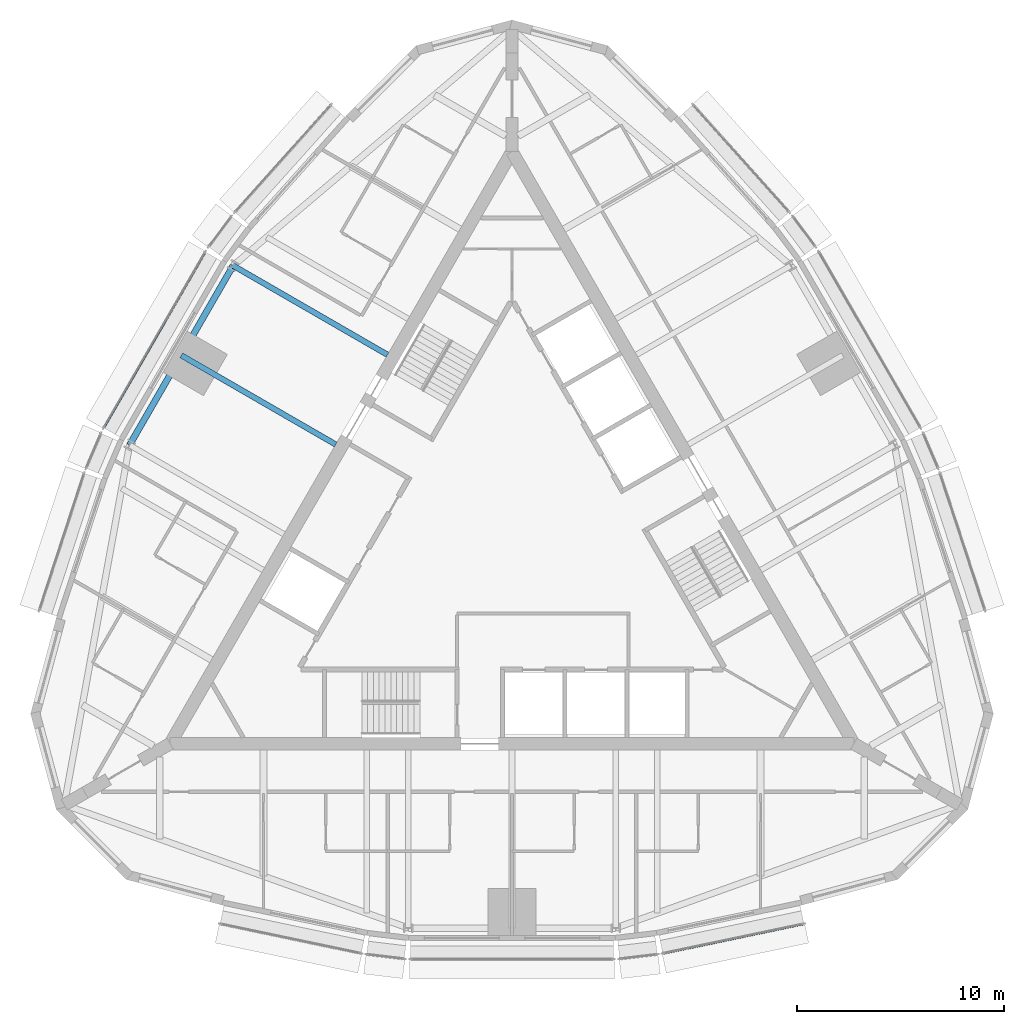
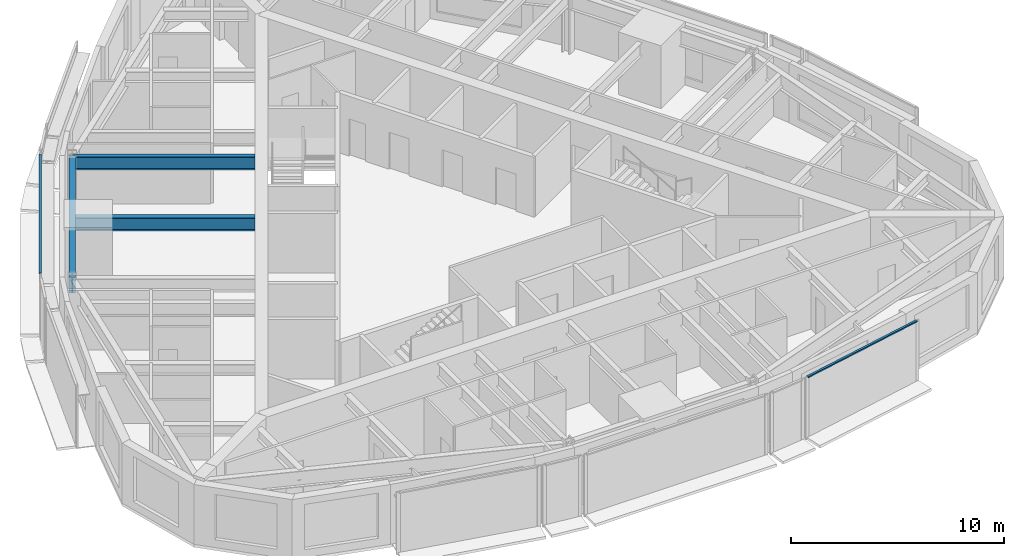
# One storey, part 3 of 12: 3 beams, 2 members, 2 elements without a shape of their own.
"""IFC4 building model written with IfcOpenShell, lengths in metres."""

from ifc_helpers import new_model, si_unit, direction, frame, origin, origin_2d, place, context, subcontext, project, spatial, rectangle, i_section, extrude, material, material_profile, profile_set, type_object, element, aggregate, save


model = new_model("IFC4")

# Units and contexts
model_context = context("Model", 3, precision=1e-05, world=origin(), true_north=direction((0.0, 1.0)))
body_context = subcontext(model_context, "Body", "Model", "MODEL_VIEW")
ifc_project = project(units=[si_unit("LENGTHUNIT", "METRE"), si_unit("AREAUNIT", "SQUARE_METRE"), si_unit("VOLUMEUNIT", "CUBIC_METRE"), si_unit("PLANEANGLEUNIT", "RADIAN"), si_unit("MASSUNIT", "GRAM", prefix="KILO")], contexts=[model_context])

# Site, building, storey
site_placement = place(None, origin())
site = spatial("IfcSite", under=ifc_project, at=site_placement, CompositionType="ELEMENT")
building_placement = place(site_placement, origin())
building = spatial("IfcBuilding", under=site, at=building_placement, Name="Trikona Tower", CompositionType="ELEMENT")
storey_placement = place(building_placement, frame((0.0, 0.0, 264.5)))
storey = spatial("IfcBuildingStorey", under=building, at=storey_placement, Name="L70", CompositionType="ELEMENT", Elevation=264.5)

# Beams
ifc_material_1 = material(Name="Steel ASTM A992 Grade 50", Category="steel")
ifc_material_profile_1 = material_profile(ifc_material_1, i_section(OverallWidth=0.2666015625, OverallDepth=0.7568359375, WebThickness=0.013916015625, FlangeThickness=0.019287109375, at=origin_2d()), Name="W30X108")
ifc_profile_set_1 = profile_set([ifc_material_profile_1], Name="Steel ASTM A992 Grade 50")
beam_type_1 = type_object("IfcBeamType", Name="Steel beam W30x108 (radial upper)", PredefinedType="BEAM", material=ifc_profile_set_1)
beam_1_placement = place(storey_placement, frame((-6.009765625, 9.243408203125, 3.056396484375), z_axis=(-0.866029182723, 0.49999345463, 0.0), x_axis=(-0.49999345463, -0.866029182723, 0.0)))
element("IfcBeam", 1, at=beam_1_placement, inside=storey, type_object=beam_type_1, Name="Floor beam L71 F3 u-5", PredefinedType="BEAM", context=body_context, shape_type="SweptSolid", body=[
    extrude(i_section(OverallWidth=0.2666015625, OverallDepth=0.7568359375, WebThickness=0.013916015625, FlangeThickness=0.019287109375, at=origin_2d()), origin(), (0.0, 0.0, 1.0), 8.60400390625),
])
beam_2_placement = place(storey_placement, frame((-8.509765625, 4.9130859375, 3.056396484375), z_axis=(-0.866016896067, 0.50001473551, 0.0), x_axis=(-0.50001473551, -0.866016896067, 0.0)))
element("IfcBeam", 2, at=beam_2_placement, inside=storey, type_object=beam_type_1, Name="Floor beam L71 F3 u0", PredefinedType="BEAM", context=body_context, shape_type="SweptSolid", body=[
    extrude(i_section(OverallWidth=0.2666015625, OverallDepth=0.7568359375, WebThickness=0.013916015625, FlangeThickness=0.019287109375, at=origin_2d()), origin(), (0.0, 0.0, 1.0), 8.604248046875),
])
ifc_material_2 = material(Name="Steel ASTM A992 Grade 50", Category="steel")
ifc_material_profile_2 = material_profile(ifc_material_2, i_section(OverallWidth=0.3046875, OverallDepth=0.911865234375, WebThickness=0.015869140625, FlangeThickness=0.02392578125, at=origin_2d()), Name="W36X150")
ifc_profile_set_2 = profile_set([ifc_material_profile_2], Name="Steel ASTM A992 Grade 50")
beam_type_2 = type_object("IfcBeamType", Name="Steel beam W36x150 (spandrel upper)", PredefinedType="SPANDREL", material=ifc_profile_set_2)
beam_3_placement = place(storey_placement, frame((-13.461181640625, 13.54541015625, 2.97900390625), z_axis=(-0.499993662806, -0.866029062534, 0.0), x_axis=(0.866029062534, -0.499993662806, 0.0)))
element("IfcBeam", 3, at=beam_3_placement, inside=storey, type_object=beam_type_2, Name="Spandrel beam L71 F3-2", PredefinedType="SPANDREL", context=body_context, shape_type="SweptSolid", body=[
    extrude(i_section(OverallWidth=0.3046875, OverallDepth=0.911865234375, WebThickness=0.015869140625, FlangeThickness=0.02392578125, at=origin_2d()), origin(), (0.0, 0.0, 1.0), 10.000244140625),
])

# Curtain wall, member
ifc_material_3 = material(Name="Aluminium curtain wall system", Category="aluminium")
curtain_wall_type = type_object("IfcCurtainWallType", Name="Curtain wall DS3", PredefinedType="NOTDEFINED", material=ifc_material_3)
curtain_wall_1_placement = place(storey_placement, origin())
curtain_wall_1 = element("IfcCurtainWall", 4, at=curtain_wall_1_placement, inside=storey, type_object=curtain_wall_type, Name="Curtain wall DS3 L70", PredefinedType="NOTDEFINED")
ifc_material_4 = material(Name="Aluminium transom, pale anodised", Category="aluminium")
ifc_material_profile_3 = material_profile(ifc_material_4, rectangle(XDim=0.1201171875, YDim=0.070068359375, at=origin_2d()), Name="TRN-DS3")
ifc_profile_set_3 = profile_set([ifc_material_profile_3], Name="Aluminium transom, pale anodised")
member_type = type_object("IfcMemberType", Name="Transom DS3 70x120", PredefinedType="USERDEFINED", material=ifc_profile_set_3)
member_1_placement = place(storey_placement, frame((7.312255859375, -19.64453125, 3.56494140625), z_axis=(0.978654137783, 0.205514181021, 0.0), x_axis=(-0.205514181021, 0.978654137783, 0.0)))
member_1 = element("IfcMember", 5, at=member_1_placement, type_object=member_type, Name="CW-DS3 transom 1.1", ObjectType="TRANSOM", PredefinedType="USERDEFINED", context=body_context, shape_type="SweptSolid", body=[
    extrude(rectangle(XDim=0.1201171875, YDim=0.070068359375, at=origin_2d()), origin(), (0.0, 0.0, 1.0), 6.892578125),
])
aggregate(curtain_wall_1, [member_1])

curtain_wall_2_placement = place(storey_placement, origin())
curtain_wall_2 = element("IfcCurtainWall", 6, at=curtain_wall_2_placement, inside=storey, type_object=curtain_wall_type, Name="Curtain wall DS3 L70", PredefinedType="NOTDEFINED")
member_2_placement = place(storey_placement, frame((-14.8251953125, 14.182861328125, 3.56494140625), z_axis=(-0.500010305712, -0.866019453697, 0.0), x_axis=(0.866019453697, -0.500010305712, 0.0)))
member_2 = element("IfcMember", 7, at=member_2_placement, type_object=member_type, Name="CW-DS3 transom 1.1", ObjectType="TRANSOM", PredefinedType="USERDEFINED", context=body_context, shape_type="SweptSolid", body=[
    extrude(rectangle(XDim=0.1201171875, YDim=0.070068359375, at=origin_2d()), origin(), (0.0, 0.0, 1.0), 9.739990234375),
])
aggregate(curtain_wall_2, [member_2])

save(model, "model.ifc")
